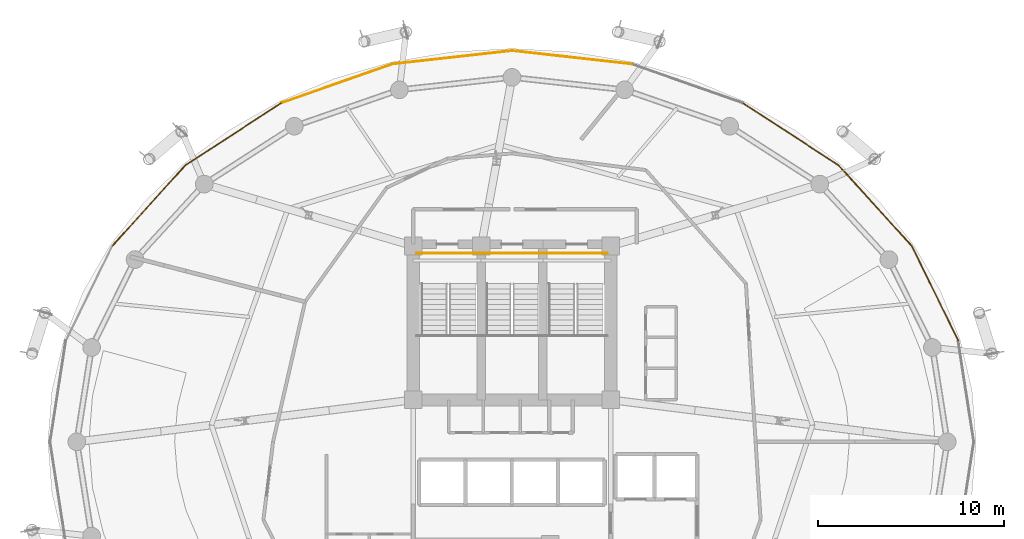
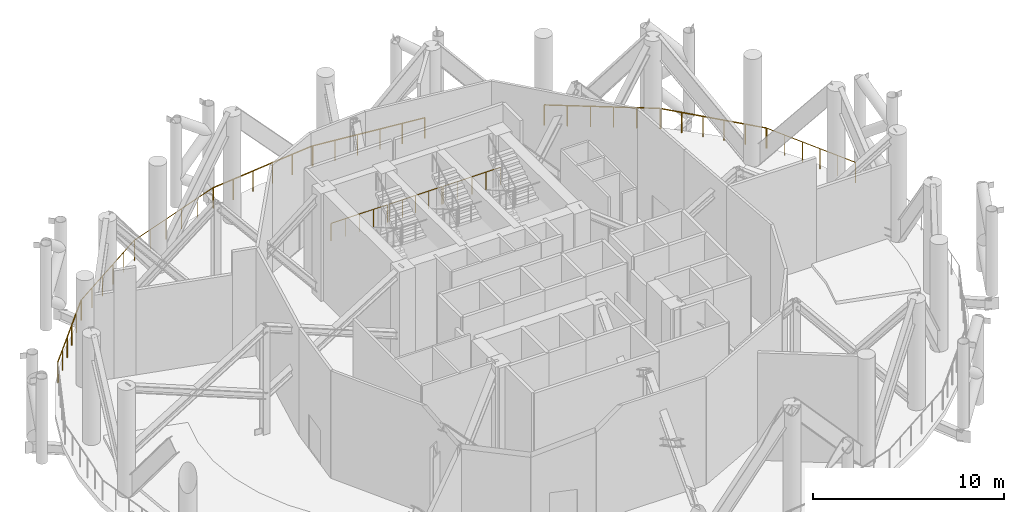
# One storey, part 17 of 18: 11 railings.
"""IFC4 building model written with IfcOpenShell, lengths in metres."""

from ifc_helpers import new_model, si_unit, direction, frame, origin, place, context, subcontext, project, spatial, polyline, outline, extrude, material, type_object, element, save


model = new_model("IFC4")

# Units and contexts
model_context = context("Model", 3, precision=1e-05, world=origin(), true_north=direction((0.0, 1.0)))
body_context = subcontext(model_context, "Body", "Model", "MODEL_VIEW")
ifc_project = project(units=[si_unit("LENGTHUNIT", "METRE"), si_unit("AREAUNIT", "SQUARE_METRE"), si_unit("VOLUMEUNIT", "CUBIC_METRE"), si_unit("PLANEANGLEUNIT", "RADIAN"), si_unit("MASSUNIT", "GRAM", prefix="KILO")], contexts=[model_context])

# Site, building, storey
site_placement = place(None, origin())
site = spatial("IfcSite", under=ifc_project, at=site_placement, CompositionType="ELEMENT")
building_placement = place(site_placement, origin())
building = spatial("IfcBuilding", under=site, at=building_placement, Name="Nuhasar Tower", CompositionType="ELEMENT")
storey_placement = place(building_placement, frame((0.0, 0.0, 195.949951171875)))
storey = spatial("IfcBuildingStorey", under=building, at=storey_placement, Name="L48", CompositionType="ELEMENT", Elevation=195.949951171875)

# Railings
ifc_material_1 = material(Name="Steel S355", Category="steel")
railing_type_1 = type_object("IfcRailingType", Name="RLG-STAIR-GUARD-1150", PredefinedType="GUARDRAIL", material=ifc_material_1)
railing_1_placement = place(storey_placement, frame((33.8798828125, 36.909912109375, 3.60009765625)))
element("IfcRailing", 1, at=railing_1_placement, inside=storey, type_object=railing_type_1, Name="L48 Stair ST-01 Guardrail LNDN1", PredefinedType="GUARDRAIL", context=body_context, shape_type="SweptSolid", body=[
    extrude(outline(polyline([(0.024169921875, 0.0), (0.01708984375, 0.01708984375), (0.0, 0.024169921875), (-0.01708984375, 0.01708984375), (-0.024169921875, 0.0), (-0.01708984375, -0.01708984375), (0.0, -0.024169921875), (0.01708984375, -0.01708984375), (0.024169921875, 0.0)])), frame((0.0, 0.0, 1.1259765625), z_axis=(1.0, 0.0, 0.0), x_axis=(0.0, 1.0, 0.0)), (0.0, 0.0, 1.0), 3.420166015625),
    extrude(outline(polyline([(0.02099609375, 0.0), (0.014892578125, 0.014892578125), (0.0, 0.02099609375), (-0.014892578125, 0.014892578125), (-0.02099609375, 0.0), (-0.014892578125, -0.014892578125), (0.0, -0.02099609375), (0.014892578125, -0.014892578125), (0.02099609375, 0.0)])), origin(), (0.0, 0.0, 1.0), 1.101806640625),
    extrude(outline(polyline([(0.02099609375, 0.0), (0.014892578125, 0.014892578125), (0.0, 0.02099609375), (-0.014892578125, 0.014892578125), (-0.02099609375, 0.0), (-0.014892578125, -0.014892578125), (0.0, -0.02099609375), (0.014892578125, -0.014892578125), (0.02099609375, 0.0)])), frame((0.85498046875, 0.0, 0.0)), (0.0, 0.0, 1.0), 1.101806640625),
    extrude(outline(polyline([(0.02099609375, 0.0), (0.014892578125, 0.014892578125), (0.0, 0.02099609375), (-0.014892578125, 0.014892578125), (-0.02099609375, 0.0), (-0.014892578125, -0.014892578125), (0.0, -0.02099609375), (0.014892578125, -0.014892578125), (0.02099609375, 0.0)])), frame((1.7099609375, 0.0, 0.0)), (0.0, 0.0, 1.0), 1.101806640625),
    extrude(outline(polyline([(0.02099609375, 0.0), (0.014892578125, 0.014892578125), (0.0, 0.02099609375), (-0.014892578125, 0.014892578125), (-0.02099609375, 0.0), (-0.014892578125, -0.014892578125), (0.0, -0.02099609375), (0.014892578125, -0.014892578125), (0.02099609375, 0.0)])), frame((2.565185546875, 0.0, 0.0)), (0.0, 0.0, 1.0), 1.101806640625),
    extrude(outline(polyline([(0.02099609375, 0.0), (0.014892578125, 0.014892578125), (0.0, 0.02099609375), (-0.014892578125, 0.014892578125), (-0.02099609375, 0.0), (-0.014892578125, -0.014892578125), (0.0, -0.02099609375), (0.014892578125, -0.014892578125), (0.02099609375, 0.0)])), frame((3.420166015625, 0.0, 0.0)), (0.0, 0.0, 1.0), 1.101806640625),
])
railing_2_placement = place(storey_placement, frame((37.39990234375, 36.909912109375, 3.60009765625)))
element("IfcRailing", 2, at=railing_2_placement, inside=storey, type_object=railing_type_1, Name="L48 Stair ST-03 Guardrail LNDN1", PredefinedType="GUARDRAIL", context=body_context, shape_type="SweptSolid", body=[
    extrude(outline(polyline([(0.024169921875, 0.0), (0.01708984375, 0.01708984375), (0.0, 0.024169921875), (-0.01708984375, 0.01708984375), (-0.024169921875, 0.0), (-0.01708984375, -0.01708984375), (0.0, -0.024169921875), (0.01708984375, -0.01708984375), (0.024169921875, 0.0)])), frame((0.0, 0.0, 1.1259765625), z_axis=(1.0, 0.0, 0.0), x_axis=(0.0, 1.0, 0.0)), (0.0, 0.0, 1.0), 3.2001953125),
    extrude(outline(polyline([(0.02099609375, 0.0), (0.014892578125, 0.014892578125), (0.0, 0.02099609375), (-0.014892578125, 0.014892578125), (-0.02099609375, 0.0), (-0.014892578125, -0.014892578125), (0.0, -0.02099609375), (0.014892578125, -0.014892578125), (0.02099609375, 0.0)])), origin(), (0.0, 0.0, 1.0), 1.101806640625),
    extrude(outline(polyline([(0.02099609375, 0.0), (0.014892578125, 0.014892578125), (0.0, 0.02099609375), (-0.014892578125, 0.014892578125), (-0.02099609375, 0.0), (-0.014892578125, -0.014892578125), (0.0, -0.02099609375), (0.014892578125, -0.014892578125), (0.02099609375, 0.0)])), frame((0.800048828125, 0.0, 0.0)), (0.0, 0.0, 1.0), 1.101806640625),
    extrude(outline(polyline([(0.02099609375, 0.0), (0.014892578125, 0.014892578125), (0.0, 0.02099609375), (-0.014892578125, 0.014892578125), (-0.02099609375, 0.0), (-0.014892578125, -0.014892578125), (0.0, -0.02099609375), (0.014892578125, -0.014892578125), (0.02099609375, 0.0)])), frame((1.60009765625, 0.0, 0.0)), (0.0, 0.0, 1.0), 1.101806640625),
    extrude(outline(polyline([(0.02099609375, 0.0), (0.014892578125, 0.014892578125), (0.0, 0.02099609375), (-0.014892578125, 0.014892578125), (-0.02099609375, 0.0), (-0.014892578125, -0.014892578125), (0.0, -0.02099609375), (0.014892578125, -0.014892578125), (0.02099609375, 0.0)])), frame((2.400146484375, 0.0, 0.0)), (0.0, 0.0, 1.0), 1.101806640625),
    extrude(outline(polyline([(0.02099609375, 0.0), (0.014892578125, 0.014892578125), (0.0, 0.02099609375), (-0.014892578125, 0.014892578125), (-0.02099609375, 0.0), (-0.014892578125, -0.014892578125), (0.0, -0.02099609375), (0.014892578125, -0.014892578125), (0.02099609375, 0.0)])), frame((3.2001953125, 0.0, 0.0)), (0.0, 0.0, 1.0), 1.101806640625),
])
railing_3_placement = place(storey_placement, frame((40.699951171875, 36.909912109375, 3.60009765625)))
element("IfcRailing", 3, at=railing_3_placement, inside=storey, type_object=railing_type_1, Name="L48 Stair ST-02 Guardrail LNDN1", PredefinedType="GUARDRAIL", context=body_context, shape_type="SweptSolid", body=[
    extrude(outline(polyline([(0.024169921875, 0.0), (0.01708984375, 0.01708984375), (0.0, 0.024169921875), (-0.01708984375, 0.01708984375), (-0.024169921875, 0.0), (-0.01708984375, -0.01708984375), (0.0, -0.024169921875), (0.01708984375, -0.01708984375), (0.024169921875, 0.0)])), frame((0.0, 0.0, 1.1259765625), z_axis=(1.0, 0.0, 0.0), x_axis=(0.0, 1.0, 0.0)), (0.0, 0.0, 1.0), 3.420166015625),
    extrude(outline(polyline([(0.02099609375, 0.0), (0.014892578125, 0.014892578125), (0.0, 0.02099609375), (-0.014892578125, 0.014892578125), (-0.02099609375, 0.0), (-0.014892578125, -0.014892578125), (0.0, -0.02099609375), (0.014892578125, -0.014892578125), (0.02099609375, 0.0)])), origin(), (0.0, 0.0, 1.0), 1.101806640625),
    extrude(outline(polyline([(0.02099609375, 0.0), (0.014892578125, 0.014892578125), (0.0, 0.02099609375), (-0.014892578125, 0.014892578125), (-0.02099609375, 0.0), (-0.014892578125, -0.014892578125), (0.0, -0.02099609375), (0.014892578125, -0.014892578125), (0.02099609375, 0.0)])), frame((0.85498046875, 0.0, 0.0)), (0.0, 0.0, 1.0), 1.101806640625),
    extrude(outline(polyline([(0.02099609375, 0.0), (0.014892578125, 0.014892578125), (0.0, 0.02099609375), (-0.014892578125, 0.014892578125), (-0.02099609375, 0.0), (-0.014892578125, -0.014892578125), (0.0, -0.02099609375), (0.014892578125, -0.014892578125), (0.02099609375, 0.0)])), frame((1.7099609375, 0.0, 0.0)), (0.0, 0.0, 1.0), 1.101806640625),
    extrude(outline(polyline([(0.02099609375, 0.0), (0.014892578125, 0.014892578125), (0.0, 0.02099609375), (-0.014892578125, 0.014892578125), (-0.02099609375, 0.0), (-0.014892578125, -0.014892578125), (0.0, -0.02099609375), (0.014892578125, -0.014892578125), (0.02099609375, 0.0)])), frame((2.565185546875, 0.0, 0.0)), (0.0, 0.0, 1.0), 1.101806640625),
    extrude(outline(polyline([(0.02099609375, 0.0), (0.014892578125, 0.014892578125), (0.0, 0.02099609375), (-0.014892578125, 0.014892578125), (-0.02099609375, 0.0), (-0.014892578125, -0.014892578125), (0.0, -0.02099609375), (0.014892578125, -0.014892578125), (0.02099609375, 0.0)])), frame((3.420166015625, 0.0, 0.0)), (0.0, 0.0, 1.0), 1.101806640625),
])
ifc_material_2 = material(Name="Stainless Steel 316L", Category="steel")
railing_type_2 = type_object("IfcRailingType", Name="RLG-WIND-1320", PredefinedType="GUARDRAIL", material=ifc_material_2)
railing_4_placement = place(storey_placement, frame((62.93603515625, 32.22998046875, 0.0)))
element("IfcRailing", 4, at=railing_4_placement, inside=storey, type_object=railing_type_2, Name="L48 Open Wind Floor Perimeter Guardrail 02", PredefinedType="GUARDRAIL", context=body_context, shape_type="SweptSolid", body=[
    extrude(outline(polyline([(0.024169921875, 0.0), (0.01708984375, 0.01708984375), (0.0, 0.024169921875), (-0.01708984375, 0.01708984375), (-0.024169921875, 0.0), (-0.01708984375, -0.01708984375), (0.0, -0.024169921875), (0.01708984375, -0.01708984375), (0.024169921875, 0.0)])), frame((0.0, 0.0, 1.2958984375), z_axis=(-0.439479430431, 0.898252653894, 0.0), x_axis=(-0.898252653894, -0.439479430431, 0.0)), (0.0, 0.0, 1.0), 5.593017578125),
    extrude(outline(polyline([(0.02099609375, 0.0), (0.014892578125, 0.014892578125), (0.0, 0.02099609375), (-0.014892578125, 0.014892578125), (-0.02099609375, 0.0), (-0.014892578125, -0.014892578125), (0.0, -0.02099609375), (0.014892578125, -0.014892578125), (0.02099609375, 0.0)])), origin(), (0.0, 0.0, 1.0), 1.27197265625),
    extrude(outline(polyline([(0.02099609375, 0.0), (0.014892578125, 0.014892578125), (0.0, 0.02099609375), (-0.014892578125, 0.014892578125), (-0.02099609375, 0.0), (-0.014892578125, -0.014892578125), (0.0, -0.02099609375), (0.014892578125, -0.014892578125), (0.02099609375, 0.0)])), frame((-0.49169921875, 1.0048828125, 0.0)), (0.0, 0.0, 1.0), 1.27197265625),
    extrude(outline(polyline([(0.02099609375, 0.0), (0.014892578125, 0.014892578125), (0.0, 0.02099609375), (-0.014892578125, 0.014892578125), (-0.02099609375, 0.0), (-0.014892578125, -0.014892578125), (0.0, -0.02099609375), (0.014892578125, -0.014892578125), (0.02099609375, 0.0)])), frame((-0.983154296875, 2.009521484375, 0.0)), (0.0, 0.0, 1.0), 1.27197265625),
    extrude(outline(polyline([(0.02099609375, 0.0), (0.014892578125, 0.014892578125), (0.0, 0.02099609375), (-0.014892578125, 0.014892578125), (-0.02099609375, 0.0), (-0.014892578125, -0.014892578125), (0.0, -0.02099609375), (0.014892578125, -0.014892578125), (0.02099609375, 0.0)])), frame((-1.474853515625, 3.014404296875, 0.0)), (0.0, 0.0, 1.0), 1.27197265625),
    extrude(outline(polyline([(0.02099609375, 0.0), (0.014892578125, 0.014892578125), (0.0, 0.02099609375), (-0.014892578125, 0.014892578125), (-0.02099609375, 0.0), (-0.014892578125, -0.014892578125), (0.0, -0.02099609375), (0.014892578125, -0.014892578125), (0.02099609375, 0.0)])), frame((-1.96630859375, 4.01904296875, 0.0)), (0.0, 0.0, 1.0), 1.27197265625),
    extrude(outline(polyline([(0.02099609375, 0.0), (0.014892578125, 0.014892578125), (0.0, 0.02099609375), (-0.014892578125, 0.014892578125), (-0.02099609375, 0.0), (-0.014892578125, -0.014892578125), (0.0, -0.02099609375), (0.014892578125, -0.014892578125), (0.02099609375, 0.0)])), frame((-2.4580078125, 5.02392578125, 0.0)), (0.0, 0.0, 1.0), 1.27197265625),
])
railing_5_placement = place(storey_placement, frame((60.4599609375, 37.2900390625, 0.0)))
element("IfcRailing", 5, at=railing_5_placement, inside=storey, type_object=railing_type_2, Name="L48 Open Wind Floor Perimeter Guardrail 03", PredefinedType="GUARDRAIL", context=body_context, shape_type="SweptSolid", body=[
    extrude(outline(polyline([(0.024169921875, 0.0), (0.01708984375, 0.01708984375), (0.0, 0.024169921875), (-0.01708984375, 0.01708984375), (-0.024169921875, 0.0), (-0.01708984375, -0.01708984375), (0.0, -0.024169921875), (0.01708984375, -0.01708984375), (0.024169921875, 0.0)])), frame((0.0, 0.0, 1.2958984375), z_axis=(-0.671564021468, 0.740946533206, 0.0), x_axis=(-0.740946533206, -0.671564021468, 0.0)), (0.0, 0.0, 1.0), 5.823486328125),
    extrude(outline(polyline([(0.02099609375, 0.0), (0.014892578125, 0.014892578125), (0.0, 0.02099609375), (-0.014892578125, 0.014892578125), (-0.02099609375, 0.0), (-0.014892578125, -0.014892578125), (0.0, -0.02099609375), (0.014892578125, -0.014892578125), (0.02099609375, 0.0)])), origin(), (0.0, 0.0, 1.0), 1.27197265625),
    extrude(outline(polyline([(0.02099609375, 0.0), (0.014892578125, 0.014892578125), (0.0, 0.02099609375), (-0.014892578125, 0.014892578125), (-0.02099609375, 0.0), (-0.014892578125, -0.014892578125), (0.0, -0.02099609375), (0.014892578125, -0.014892578125), (0.02099609375, 0.0)])), frame((-0.7822265625, 0.863037109375, 0.0)), (0.0, 0.0, 1.0), 1.27197265625),
    extrude(outline(polyline([(0.02099609375, 0.0), (0.014892578125, 0.014892578125), (0.0, 0.02099609375), (-0.014892578125, 0.014892578125), (-0.02099609375, 0.0), (-0.014892578125, -0.014892578125), (0.0, -0.02099609375), (0.014892578125, -0.014892578125), (0.02099609375, 0.0)])), frame((-1.564453125, 1.72607421875, 0.0)), (0.0, 0.0, 1.0), 1.27197265625),
    extrude(outline(polyline([(0.02099609375, 0.0), (0.014892578125, 0.014892578125), (0.0, 0.02099609375), (-0.014892578125, 0.014892578125), (-0.02099609375, 0.0), (-0.014892578125, -0.014892578125), (0.0, -0.02099609375), (0.014892578125, -0.014892578125), (0.02099609375, 0.0)])), frame((-2.346435546875, 2.5888671875, 0.0)), (0.0, 0.0, 1.0), 1.27197265625),
    extrude(outline(polyline([(0.02099609375, 0.0), (0.014892578125, 0.014892578125), (0.0, 0.02099609375), (-0.014892578125, 0.014892578125), (-0.02099609375, 0.0), (-0.014892578125, -0.014892578125), (0.0, -0.02099609375), (0.014892578125, -0.014892578125), (0.02099609375, 0.0)])), frame((-3.128662109375, 3.451904296875, 0.0)), (0.0, 0.0, 1.0), 1.27197265625),
    extrude(outline(polyline([(0.02099609375, 0.0), (0.014892578125, 0.014892578125), (0.0, 0.02099609375), (-0.014892578125, 0.014892578125), (-0.02099609375, 0.0), (-0.014892578125, -0.014892578125), (0.0, -0.02099609375), (0.014892578125, -0.014892578125), (0.02099609375, 0.0)])), frame((-3.910888671875, 4.31494140625, 0.0)), (0.0, 0.0, 1.0), 1.27197265625),
])
railing_6_placement = place(storey_placement, frame((56.52197265625, 41.635009765625, 0.0)))
element("IfcRailing", 6, at=railing_6_placement, inside=storey, type_object=railing_type_2, Name="L48 Open Wind Floor Perimeter Guardrail 04", PredefinedType="GUARDRAIL", context=body_context, shape_type="SweptSolid", body=[
    extrude(outline(polyline([(0.024169921875, 0.0), (0.01708984375, 0.01708984375), (0.0, 0.024169921875), (-0.01708984375, 0.01708984375), (-0.024169921875, 0.0), (-0.01708984375, -0.01708984375), (0.0, -0.024169921875), (0.01708984375, -0.01708984375), (0.024169921875, 0.0)])), frame((0.0, 0.0, 1.2958984375), z_axis=(-0.83856562581, 0.54480059766, 0.0), x_axis=(-0.54480059766, -0.83856562581, 0.0)), (0.0, 0.0, 1.0), 6.079345703125),
    extrude(outline(polyline([(0.02099609375, 0.0), (0.014892578125, 0.014892578125), (0.0, 0.02099609375), (-0.014892578125, 0.014892578125), (-0.02099609375, 0.0), (-0.014892578125, -0.014892578125), (0.0, -0.02099609375), (0.014892578125, -0.014892578125), (0.02099609375, 0.0)])), origin(), (0.0, 0.0, 1.0), 1.27197265625),
    extrude(outline(polyline([(0.02099609375, 0.0), (0.014892578125, 0.014892578125), (0.0, 0.02099609375), (-0.014892578125, 0.014892578125), (-0.02099609375, 0.0), (-0.014892578125, -0.014892578125), (0.0, -0.02099609375), (0.014892578125, -0.014892578125), (0.02099609375, 0.0)])), frame((-1.01953125, 0.662353515625, 0.0)), (0.0, 0.0, 1.0), 1.27197265625),
    extrude(outline(polyline([(0.02099609375, 0.0), (0.014892578125, 0.014892578125), (0.0, 0.02099609375), (-0.014892578125, 0.014892578125), (-0.02099609375, 0.0), (-0.014892578125, -0.014892578125), (0.0, -0.02099609375), (0.014892578125, -0.014892578125), (0.02099609375, 0.0)])), frame((-2.0390625, 1.32470703125, 0.0)), (0.0, 0.0, 1.0), 1.27197265625),
    extrude(outline(polyline([(0.02099609375, 0.0), (0.014892578125, 0.014892578125), (0.0, 0.02099609375), (-0.014892578125, 0.014892578125), (-0.02099609375, 0.0), (-0.014892578125, -0.014892578125), (0.0, -0.02099609375), (0.014892578125, -0.014892578125), (0.02099609375, 0.0)])), frame((-3.058837890625, 1.9873046875, 0.0)), (0.0, 0.0, 1.0), 1.27197265625),
    extrude(outline(polyline([(0.02099609375, 0.0), (0.014892578125, 0.014892578125), (0.0, 0.02099609375), (-0.014892578125, 0.014892578125), (-0.02099609375, 0.0), (-0.014892578125, -0.014892578125), (0.0, -0.02099609375), (0.014892578125, -0.014892578125), (0.02099609375, 0.0)])), frame((-4.078369140625, 2.649658203125, 0.0)), (0.0, 0.0, 1.0), 1.27197265625),
    extrude(outline(polyline([(0.02099609375, 0.0), (0.014892578125, 0.014892578125), (0.0, 0.02099609375), (-0.014892578125, 0.014892578125), (-0.02099609375, 0.0), (-0.014892578125, -0.014892578125), (0.0, -0.02099609375), (0.014892578125, -0.014892578125), (0.02099609375, 0.0)])), frame((-5.097900390625, 3.31201171875, 0.0)), (0.0, 0.0, 1.0), 1.27197265625),
])
railing_7_placement = place(storey_placement, frame((45.4140625, 47.06494140625, 0.0)))
element("IfcRailing", 7, at=railing_7_placement, inside=storey, type_object=railing_type_2, Name="L48 Open Wind Floor Perimeter Guardrail 06", PredefinedType="GUARDRAIL", context=body_context, shape_type="SweptSolid", body=[
    extrude(outline(polyline([(0.024169921875, 0.0), (0.01708984375, 0.01708984375), (0.0, 0.024169921875), (-0.01708984375, 0.01708984375), (-0.024169921875, 0.0), (-0.01708984375, -0.01708984375), (0.0, -0.024169921875), (0.01708984375, -0.01708984375), (0.024169921875, 0.0)])), frame((0.0, 0.0, 1.2958984375), z_axis=(-0.993837224435, 0.110849318123, 0.0), x_axis=(-0.110849318123, -0.993837224435, 0.0)), (0.0, 0.0, 1.0), 6.41357421875),
    extrude(outline(polyline([(0.02099609375, 0.0), (0.014892578125, 0.014892578125), (0.0, 0.02099609375), (-0.014892578125, 0.014892578125), (-0.02099609375, 0.0), (-0.014892578125, -0.014892578125), (0.0, -0.02099609375), (0.014892578125, -0.014892578125), (0.02099609375, 0.0)])), origin(), (0.0, 0.0, 1.0), 1.27197265625),
    extrude(outline(polyline([(0.02099609375, 0.0), (0.014892578125, 0.014892578125), (0.0, 0.02099609375), (-0.014892578125, 0.014892578125), (-0.02099609375, 0.0), (-0.014892578125, -0.014892578125), (0.0, -0.02099609375), (0.014892578125, -0.014892578125), (0.02099609375, 0.0)])), frame((-1.27490234375, 0.14208984375, 0.0)), (0.0, 0.0, 1.0), 1.27197265625),
    extrude(outline(polyline([(0.02099609375, 0.0), (0.014892578125, 0.014892578125), (0.0, 0.02099609375), (-0.014892578125, 0.014892578125), (-0.02099609375, 0.0), (-0.014892578125, -0.014892578125), (0.0, -0.02099609375), (0.014892578125, -0.014892578125), (0.02099609375, 0.0)])), frame((-2.549560546875, 0.284423828125, 0.0)), (0.0, 0.0, 1.0), 1.27197265625),
    extrude(outline(polyline([(0.02099609375, 0.0), (0.014892578125, 0.014892578125), (0.0, 0.02099609375), (-0.014892578125, 0.014892578125), (-0.02099609375, 0.0), (-0.014892578125, -0.014892578125), (0.0, -0.02099609375), (0.014892578125, -0.014892578125), (0.02099609375, 0.0)])), frame((-3.824462890625, 0.426513671875, 0.0)), (0.0, 0.0, 1.0), 1.27197265625),
    extrude(outline(polyline([(0.02099609375, 0.0), (0.014892578125, 0.014892578125), (0.0, 0.02099609375), (-0.014892578125, 0.014892578125), (-0.02099609375, 0.0), (-0.014892578125, -0.014892578125), (0.0, -0.02099609375), (0.014892578125, -0.014892578125), (0.02099609375, 0.0)])), frame((-5.09912109375, 0.56884765625, 0.0)), (0.0, 0.0, 1.0), 1.27197265625),
    extrude(outline(polyline([(0.02099609375, 0.0), (0.014892578125, 0.014892578125), (0.0, 0.02099609375), (-0.014892578125, 0.014892578125), (-0.02099609375, 0.0), (-0.014892578125, -0.014892578125), (0.0, -0.02099609375), (0.014892578125, -0.014892578125), (0.02099609375, 0.0)])), frame((-6.3740234375, 0.7109375, 0.0)), (0.0, 0.0, 1.0), 1.27197265625),
])
railing_8_placement = place(storey_placement, frame((39.0, 47.780029296875, 0.0)))
element("IfcRailing", 8, at=railing_8_placement, inside=storey, type_object=railing_type_2, Name="L48 Open Wind Floor Perimeter Guardrail 07", PredefinedType="GUARDRAIL", context=body_context, shape_type="SweptSolid", body=[
    extrude(outline(polyline([(0.024169921875, 0.0), (0.01708984375, 0.01708984375), (0.0, 0.024169921875), (-0.01708984375, 0.01708984375), (-0.024169921875, 0.0), (-0.01708984375, -0.01708984375), (0.0, -0.024169921875), (0.01708984375, -0.01708984375), (0.024169921875, 0.0)])), frame((0.0, 0.0, 1.2958984375), z_axis=(-0.993837224435, -0.110849318123, 0.0), x_axis=(0.110849318123, -0.993837224435, 0.0)), (0.0, 0.0, 1.0), 6.41357421875),
    extrude(outline(polyline([(0.02099609375, 0.0), (0.014892578125, 0.014892578125), (0.0, 0.02099609375), (-0.014892578125, 0.014892578125), (-0.02099609375, 0.0), (-0.014892578125, -0.014892578125), (0.0, -0.02099609375), (0.014892578125, -0.014892578125), (0.02099609375, 0.0)])), origin(), (0.0, 0.0, 1.0), 1.27197265625),
    extrude(outline(polyline([(0.02099609375, 0.0), (0.014892578125, 0.014892578125), (0.0, 0.02099609375), (-0.014892578125, 0.014892578125), (-0.02099609375, 0.0), (-0.014892578125, -0.014892578125), (0.0, -0.02099609375), (0.014892578125, -0.014892578125), (0.02099609375, 0.0)])), frame((-1.27490234375, -0.14208984375, 0.0)), (0.0, 0.0, 1.0), 1.27197265625),
    extrude(outline(polyline([(0.02099609375, 0.0), (0.014892578125, 0.014892578125), (0.0, 0.02099609375), (-0.014892578125, 0.014892578125), (-0.02099609375, 0.0), (-0.014892578125, -0.014892578125), (0.0, -0.02099609375), (0.014892578125, -0.014892578125), (0.02099609375, 0.0)])), frame((-2.549560546875, -0.284423828125, 0.0)), (0.0, 0.0, 1.0), 1.27197265625),
    extrude(outline(polyline([(0.02099609375, 0.0), (0.014892578125, 0.014892578125), (0.0, 0.02099609375), (-0.014892578125, 0.014892578125), (-0.02099609375, 0.0), (-0.014892578125, -0.014892578125), (0.0, -0.02099609375), (0.014892578125, -0.014892578125), (0.02099609375, 0.0)])), frame((-3.824462890625, -0.426513671875, 0.0)), (0.0, 0.0, 1.0), 1.27197265625),
    extrude(outline(polyline([(0.02099609375, 0.0), (0.014892578125, 0.014892578125), (0.0, 0.02099609375), (-0.014892578125, 0.014892578125), (-0.02099609375, 0.0), (-0.014892578125, -0.014892578125), (0.0, -0.02099609375), (0.014892578125, -0.014892578125), (0.02099609375, 0.0)])), frame((-5.09912109375, -0.56884765625, 0.0)), (0.0, 0.0, 1.0), 1.27197265625),
    extrude(outline(polyline([(0.02099609375, 0.0), (0.014892578125, 0.014892578125), (0.0, 0.02099609375), (-0.014892578125, 0.014892578125), (-0.02099609375, 0.0), (-0.014892578125, -0.014892578125), (0.0, -0.02099609375), (0.014892578125, -0.014892578125), (0.02099609375, 0.0)])), frame((-6.3740234375, -0.7109375, 0.0)), (0.0, 0.0, 1.0), 1.27197265625),
])
railing_9_placement = place(storey_placement, frame((32.5859375, 47.06494140625, 0.0)))
element("IfcRailing", 9, at=railing_9_placement, inside=storey, type_object=railing_type_2, Name="L48 Open Wind Floor Perimeter Guardrail 08", PredefinedType="GUARDRAIL", context=body_context, shape_type="SweptSolid", body=[
    extrude(outline(polyline([(0.024169921875, 0.0), (0.01708984375, 0.01708984375), (0.0, 0.024169921875), (-0.01708984375, 0.01708984375), (-0.024169921875, 0.0), (-0.01708984375, -0.01708984375), (0.0, -0.024169921875), (0.01708984375, -0.01708984375), (0.024169921875, 0.0)])), frame((0.0, 0.0, 1.2958984375), z_axis=(-0.943624646388, -0.33101741152, 0.0), x_axis=(0.33101741152, -0.943624646388, 0.0)), (0.0, 0.0, 1.0), 6.292724609375),
    extrude(outline(polyline([(0.02099609375, 0.0), (0.014892578125, 0.014892578125), (0.0, 0.02099609375), (-0.014892578125, 0.014892578125), (-0.02099609375, 0.0), (-0.014892578125, -0.014892578125), (0.0, -0.02099609375), (0.014892578125, -0.014892578125), (0.02099609375, 0.0)])), origin(), (0.0, 0.0, 1.0), 1.27197265625),
    extrude(outline(polyline([(0.02099609375, 0.0), (0.014892578125, 0.014892578125), (0.0, 0.02099609375), (-0.014892578125, 0.014892578125), (-0.02099609375, 0.0), (-0.014892578125, -0.014892578125), (0.0, -0.02099609375), (0.014892578125, -0.014892578125), (0.02099609375, 0.0)])), frame((-1.1875, -0.41650390625, 0.0)), (0.0, 0.0, 1.0), 1.27197265625),
    extrude(outline(polyline([(0.02099609375, 0.0), (0.014892578125, 0.014892578125), (0.0, 0.02099609375), (-0.014892578125, 0.014892578125), (-0.02099609375, 0.0), (-0.014892578125, -0.014892578125), (0.0, -0.02099609375), (0.014892578125, -0.014892578125), (0.02099609375, 0.0)])), frame((-2.375244140625, -0.833251953125, 0.0)), (0.0, 0.0, 1.0), 1.27197265625),
    extrude(outline(polyline([(0.02099609375, 0.0), (0.014892578125, 0.014892578125), (0.0, 0.02099609375), (-0.014892578125, 0.014892578125), (-0.02099609375, 0.0), (-0.014892578125, -0.014892578125), (0.0, -0.02099609375), (0.014892578125, -0.014892578125), (0.02099609375, 0.0)])), frame((-3.562744140625, -1.249755859375, 0.0)), (0.0, 0.0, 1.0), 1.27197265625),
    extrude(outline(polyline([(0.02099609375, 0.0), (0.014892578125, 0.014892578125), (0.0, 0.02099609375), (-0.014892578125, 0.014892578125), (-0.02099609375, 0.0), (-0.014892578125, -0.014892578125), (0.0, -0.02099609375), (0.014892578125, -0.014892578125), (0.02099609375, 0.0)])), frame((-4.75048828125, -1.66650390625, 0.0)), (0.0, 0.0, 1.0), 1.27197265625),
    extrude(outline(polyline([(0.02099609375, 0.0), (0.014892578125, 0.014892578125), (0.0, 0.02099609375), (-0.014892578125, 0.014892578125), (-0.02099609375, 0.0), (-0.014892578125, -0.014892578125), (0.0, -0.02099609375), (0.014892578125, -0.014892578125), (0.02099609375, 0.0)])), frame((-5.93798828125, -2.0830078125, 0.0)), (0.0, 0.0, 1.0), 1.27197265625),
])
railing_10_placement = place(storey_placement, frame((26.610107421875, 44.968994140625, 0.0)))
element("IfcRailing", 10, at=railing_10_placement, inside=storey, type_object=railing_type_2, Name="L48 Open Wind Floor Perimeter Guardrail 09", PredefinedType="GUARDRAIL", context=body_context, shape_type="SweptSolid", body=[
    extrude(outline(polyline([(0.024169921875, 0.0), (0.01708984375, 0.01708984375), (0.0, 0.024169921875), (-0.01708984375, 0.01708984375), (-0.024169921875, 0.0), (-0.01708984375, -0.01708984375), (0.0, -0.024169921875), (0.01708984375, -0.01708984375), (0.024169921875, 0.0)])), frame((0.0, 0.0, 1.2958984375), z_axis=(-0.838577544786, -0.544782251344, 0.0), x_axis=(0.544782251344, -0.838577544786, 0.0)), (0.0, 0.0, 1.0), 6.07958984375),
    extrude(outline(polyline([(0.02099609375, 0.0), (0.014892578125, 0.014892578125), (0.0, 0.02099609375), (-0.014892578125, 0.014892578125), (-0.02099609375, 0.0), (-0.014892578125, -0.014892578125), (0.0, -0.02099609375), (0.014892578125, -0.014892578125), (0.02099609375, 0.0)])), origin(), (0.0, 0.0, 1.0), 1.27197265625),
    extrude(outline(polyline([(0.02099609375, 0.0), (0.014892578125, 0.014892578125), (0.0, 0.02099609375), (-0.014892578125, 0.014892578125), (-0.02099609375, 0.0), (-0.014892578125, -0.014892578125), (0.0, -0.02099609375), (0.014892578125, -0.014892578125), (0.02099609375, 0.0)])), frame((-1.01953125, -0.662353515625, 0.0)), (0.0, 0.0, 1.0), 1.27197265625),
    extrude(outline(polyline([(0.02099609375, 0.0), (0.014892578125, 0.014892578125), (0.0, 0.02099609375), (-0.014892578125, 0.014892578125), (-0.02099609375, 0.0), (-0.014892578125, -0.014892578125), (0.0, -0.02099609375), (0.014892578125, -0.014892578125), (0.02099609375, 0.0)])), frame((-2.039306640625, -1.32470703125, 0.0)), (0.0, 0.0, 1.0), 1.27197265625),
    extrude(outline(polyline([(0.02099609375, 0.0), (0.014892578125, 0.014892578125), (0.0, 0.02099609375), (-0.014892578125, 0.014892578125), (-0.02099609375, 0.0), (-0.014892578125, -0.014892578125), (0.0, -0.02099609375), (0.014892578125, -0.014892578125), (0.02099609375, 0.0)])), frame((-3.058837890625, -1.9873046875, 0.0)), (0.0, 0.0, 1.0), 1.27197265625),
    extrude(outline(polyline([(0.02099609375, 0.0), (0.014892578125, 0.014892578125), (0.0, 0.02099609375), (-0.014892578125, 0.014892578125), (-0.02099609375, 0.0), (-0.014892578125, -0.014892578125), (0.0, -0.02099609375), (0.014892578125, -0.014892578125), (0.02099609375, 0.0)])), frame((-4.07861328125, -2.649658203125, 0.0)), (0.0, 0.0, 1.0), 1.27197265625),
    extrude(outline(polyline([(0.02099609375, 0.0), (0.014892578125, 0.014892578125), (0.0, 0.02099609375), (-0.014892578125, 0.014892578125), (-0.02099609375, 0.0), (-0.014892578125, -0.014892578125), (0.0, -0.02099609375), (0.014892578125, -0.014892578125), (0.02099609375, 0.0)])), frame((-5.09814453125, -3.31201171875, 0.0)), (0.0, 0.0, 1.0), 1.27197265625),
])
railing_11_placement = place(storey_placement, frame((21.47802734375, 41.635009765625, 0.0)))
element("IfcRailing", 11, at=railing_11_placement, inside=storey, type_object=railing_type_2, Name="L48 Open Wind Floor Perimeter Guardrail 10", PredefinedType="GUARDRAIL", context=body_context, shape_type="SweptSolid", body=[
    extrude(outline(polyline([(0.024169921875, 0.0), (0.01708984375, 0.01708984375), (0.0, 0.024169921875), (-0.01708984375, 0.01708984375), (-0.024169921875, 0.0), (-0.01708984375, -0.01708984375), (0.0, -0.024169921875), (0.01708984375, -0.01708984375), (0.024169921875, 0.0)])), frame((0.0, 0.0, 1.2958984375), z_axis=(-0.671587036279, -0.740925672859, 0.0), x_axis=(0.740925672859, -0.671587036279, 0.0)), (0.0, 0.0, 1.0), 5.82373046875),
    extrude(outline(polyline([(0.02099609375, 0.0), (0.014892578125, 0.014892578125), (0.0, 0.02099609375), (-0.014892578125, 0.014892578125), (-0.02099609375, 0.0), (-0.014892578125, -0.014892578125), (0.0, -0.02099609375), (0.014892578125, -0.014892578125), (0.02099609375, 0.0)])), origin(), (0.0, 0.0, 1.0), 1.27197265625),
    extrude(outline(polyline([(0.02099609375, 0.0), (0.014892578125, 0.014892578125), (0.0, 0.02099609375), (-0.014892578125, 0.014892578125), (-0.02099609375, 0.0), (-0.014892578125, -0.014892578125), (0.0, -0.02099609375), (0.014892578125, -0.014892578125), (0.02099609375, 0.0)])), frame((-0.7822265625, -0.863037109375, 0.0)), (0.0, 0.0, 1.0), 1.27197265625),
    extrude(outline(polyline([(0.02099609375, 0.0), (0.014892578125, 0.014892578125), (0.0, 0.02099609375), (-0.014892578125, 0.014892578125), (-0.02099609375, 0.0), (-0.014892578125, -0.014892578125), (0.0, -0.02099609375), (0.014892578125, -0.014892578125), (0.02099609375, 0.0)])), frame((-1.564453125, -1.72607421875, 0.0)), (0.0, 0.0, 1.0), 1.27197265625),
    extrude(outline(polyline([(0.02099609375, 0.0), (0.014892578125, 0.014892578125), (0.0, 0.02099609375), (-0.014892578125, 0.014892578125), (-0.02099609375, 0.0), (-0.014892578125, -0.014892578125), (0.0, -0.02099609375), (0.014892578125, -0.014892578125), (0.02099609375, 0.0)])), frame((-2.3466796875, -2.5888671875, 0.0)), (0.0, 0.0, 1.0), 1.27197265625),
    extrude(outline(polyline([(0.02099609375, 0.0), (0.014892578125, 0.014892578125), (0.0, 0.02099609375), (-0.014892578125, 0.014892578125), (-0.02099609375, 0.0), (-0.014892578125, -0.014892578125), (0.0, -0.02099609375), (0.014892578125, -0.014892578125), (0.02099609375, 0.0)])), frame((-3.12890625, -3.451904296875, 0.0)), (0.0, 0.0, 1.0), 1.27197265625),
    extrude(outline(polyline([(0.02099609375, 0.0), (0.014892578125, 0.014892578125), (0.0, 0.02099609375), (-0.014892578125, 0.014892578125), (-0.02099609375, 0.0), (-0.014892578125, -0.014892578125), (0.0, -0.02099609375), (0.014892578125, -0.014892578125), (0.02099609375, 0.0)])), frame((-3.9111328125, -4.31494140625, 0.0)), (0.0, 0.0, 1.0), 1.27197265625),
])

save(model, "model.ifc")
